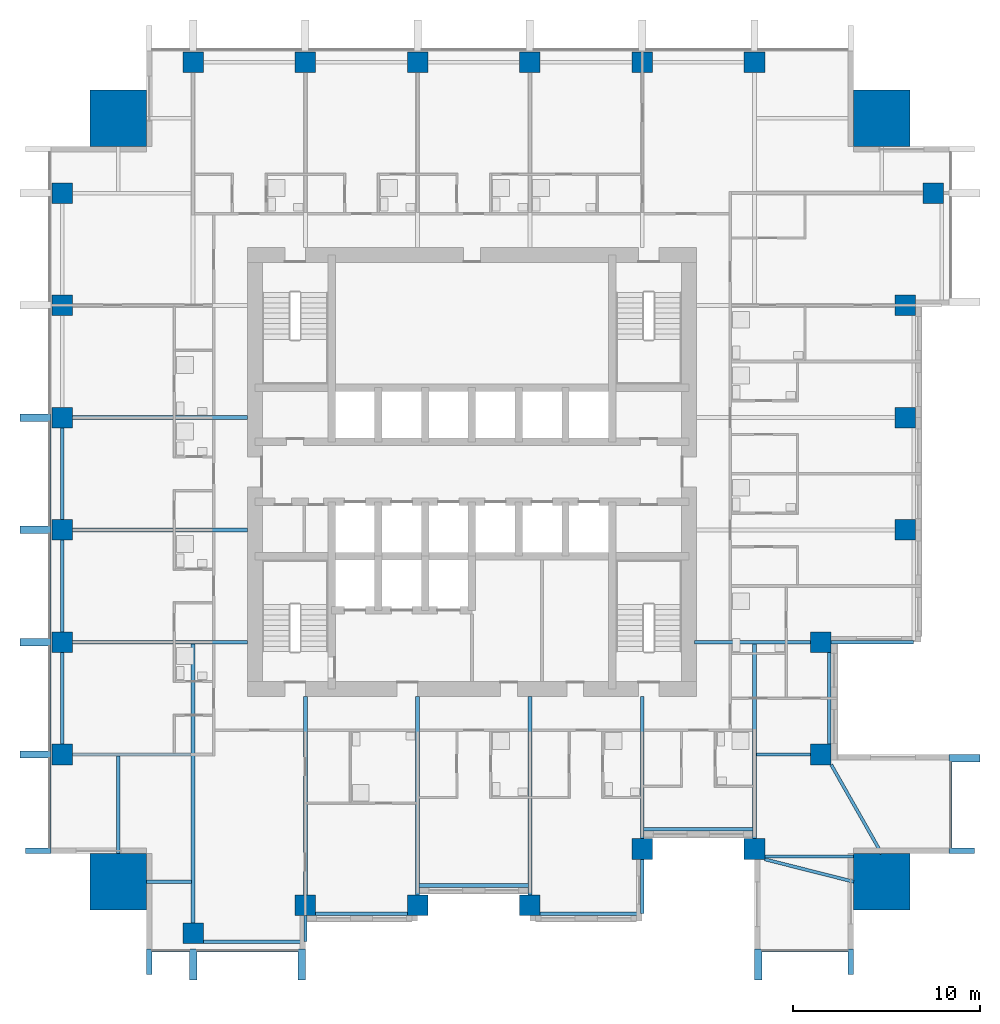
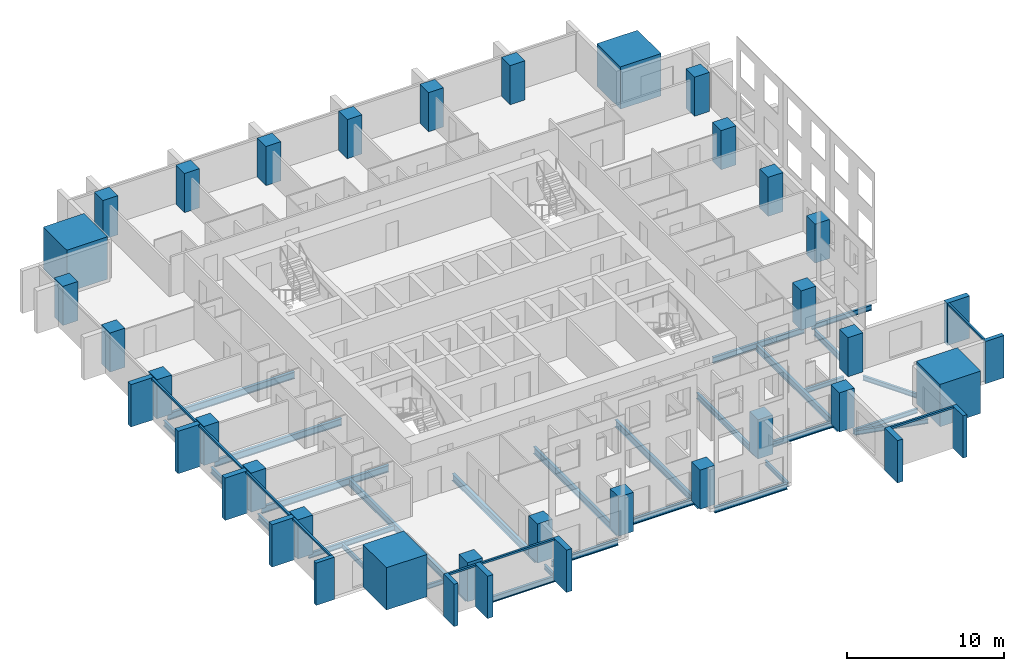
# One storey, part 1 of 12: 29 beams, 28 columns, 20 members, 4 elements without a shape of their own.
"""IFC4 building model written with IfcOpenShell, lengths in metres."""

import ifcopenshell
import ifcopenshell.guid

model = None  # the IFC model being written
_history = None  # IfcOwnerHistory: only IFC2X3 demands one
_inside = {}  # id of a spatial element -> (the spatial element, [elements in it])
_under = {}  # id of a project, library or spatial element -> (it, [spatial elements below it])
_declared = {}  # id of a project -> (the project, [libraries it declares])
_typed = {}  # id of a type object -> (the type object, [elements of that type])
_made_of = {}  # id of a material, layer set ... -> (it, [elements and type objects made of it])


def new_model(schema):
    """Start an empty IFC model of exactly this schema.

    Asked for "IFC4X3", IfcOpenShell would pick the latest addendum, in which some entities
    have other attributes; the version numbers below select the first issue.
    IFC2X3 requires an IfcOwnerHistory on every rooted entity: one is made here for all.
    """
    global model, _history
    if schema == "IFC4X3":
        model = ifcopenshell.file(schema_version=(4, 3, 0, 0))
    else:
        model = ifcopenshell.file(schema=schema)
    _inside.clear()
    _under.clear()
    _declared.clear()
    _typed.clear()
    _made_of.clear()
    _history = None
    if model.schema == "IFC2X3":
        org = make("IfcOrganization", Name="unknown")
        user = make(
            "IfcPersonAndOrganization",
            ThePerson=make("IfcPerson", FamilyName="unknown"),
            TheOrganization=org,
        )
        app = make(
            "IfcApplication",
            ApplicationDeveloper=org,
            Version="unknown",
            ApplicationFullName="unknown",
            ApplicationIdentifier="unknown",
        )
        _history = make(
            "IfcOwnerHistory",
            OwningUser=user,
            OwningApplication=app,
            ChangeAction="ADDED",
            CreationDate=0,
        )
    return model


def make(cls, **values):
    """One entity of the class cls with the attributes given. An attribute that is None is left unset."""
    return model.create_entity(
        cls, **{name: value for name, value in values.items() if value is not None}
    )


def rooted(cls, **values):
    """An entity with a GlobalId (a new one), such as an element, a storey or a relation."""
    return make(cls, GlobalId=ifcopenshell.guid.new(), OwnerHistory=_history, **values)


def si_unit(unit_type, name, prefix=None):
    """IfcSIUnit, for example si_unit("LENGTHUNIT", "METRE", prefix="MILLI")."""
    return make("IfcSIUnit", UnitType=unit_type, Prefix=prefix, Name=name)


def assignment(units):
    """IfcUnitAssignment: the units of a project."""
    return None if units is None else make("IfcUnitAssignment", Units=units)


def point(xyz):
    """IfcCartesianPoint."""
    return None if xyz is None else make("IfcCartesianPoint", Coordinates=xyz)


def direction(xyz):
    """IfcDirection."""
    return None if xyz is None else make("IfcDirection", DirectionRatios=xyz)


def frame(location, z_axis=None, x_axis=None):
    """IfcAxis2Placement3D, a coordinate frame: its origin and axes. An axis left out is left unset."""
    return make(
        "IfcAxis2Placement3D",
        Location=point(location),
        Axis=direction(z_axis),
        RefDirection=direction(x_axis),
    )


def frame_2d(location, x_axis=None):
    """IfcAxis2Placement2D, a coordinate frame in the plane: its origin and x axis."""
    return make(
        "IfcAxis2Placement2D", Location=point(location), RefDirection=direction(x_axis)
    )


def origin():
    """The frame at (0, 0, 0) with its axes left unset."""
    return frame((0.0, 0.0, 0.0))


def origin_2d():
    """The frame at (0, 0) in the plane with its x axis left unset."""
    return frame_2d((0.0, 0.0))


def place(relative_to, where):
    """IfcLocalPlacement: puts the frame where relative to a parent placement (None: the world)."""
    return make(
        "IfcLocalPlacement", PlacementRelTo=relative_to, RelativePlacement=where
    )


def context(
    kind, dimensions, precision=None, world=None, true_north=None, identifier=None
):
    """IfcGeometricRepresentationContext, for example the 3D "Model" context."""
    return make(
        "IfcGeometricRepresentationContext",
        ContextIdentifier=identifier,
        ContextType=kind,
        CoordinateSpaceDimension=dimensions,
        Precision=precision,
        WorldCoordinateSystem=world,
        TrueNorth=true_north,
    )


def subcontext(parent, identifier, kind, view, scale=None):
    """IfcGeometricRepresentationSubContext, for example "Body" below "Model"."""
    return make(
        "IfcGeometricRepresentationSubContext",
        ContextIdentifier=identifier,
        ContextType=kind,
        ParentContext=parent,
        TargetScale=scale,
        TargetView=view,
    )


def project(units=None, contexts=None):
    """IfcProject with its units and contexts."""
    return rooted(
        "IfcProject",
        Name="project",
        RepresentationContexts=contexts,
        UnitsInContext=assignment(units),
    )


def spatial(cls, under=None, at=None, **own):
    """A site, building, storey or space (cls), placed at a placement, below another one or the project."""
    s = rooted(cls, ObjectPlacement=at, **own)
    if under is not None:
        _under.setdefault(under.id(), (under, []))[1].append(s)
    return s


def profile(cls, at=None, kind="AREA", **sizes):
    """A parametric profile (cls). Its sizes go by their IFC names, for example OverallWidth=200.0."""
    return make(cls, ProfileType=kind, Position=at, **sizes)


def rectangle(**sizes):
    """IfcRectangleProfileDef."""
    return profile("IfcRectangleProfileDef", **sizes)


def i_section(**sizes):
    """IfcIShapeProfileDef."""
    return profile("IfcIShapeProfileDef", **sizes)


def extrude(swept, where, along, depth):
    """IfcExtrudedAreaSolid: the profile swept, set in the frame where, extruded along a direction by depth."""
    return make(
        "IfcExtrudedAreaSolid",
        SweptArea=swept,
        Position=where,
        ExtrudedDirection=direction(along),
        Depth=depth,
    )


def shape(context_of_items, identifier, shape_type, items):
    """IfcShapeRepresentation: the items that make up one representation, for example the "Body"."""
    return make(
        "IfcShapeRepresentation",
        ContextOfItems=context_of_items,
        RepresentationIdentifier=identifier,
        RepresentationType=shape_type,
        Items=items,
    )


def material(Name=None, Category=None):
    """IfcMaterial."""
    return make("IfcMaterial", Name=Name, Category=Category)


def material_profile(
    of_material, cross_section, Name=None, Category=None, Priority=None
):
    """IfcMaterialProfile: a cross section and its material."""
    return make(
        "IfcMaterialProfile",
        Name=Name,
        Material=of_material,
        Profile=cross_section,
        Priority=Priority,
        Category=Category,
    )


def profile_set(profiles, Name=None, composite=None):
    """IfcMaterialProfileSet."""
    return make(
        "IfcMaterialProfileSet",
        Name=Name,
        MaterialProfiles=profiles,
        CompositeProfile=composite,
    )


def made_of(thing, what):
    """Note that an element or type object is made of a material, layer set ...; save() writes the relation."""
    if what is not None:
        _made_of.setdefault(what.id(), (what, []))[1].append(thing)
    return thing


def type_object(cls, material=None, **own):
    """A type object (cls), such as IfcWallType, which elements share."""
    return made_of(rooted(cls, **own), material)


def element(
    cls,
    number,
    at=None,
    inside=None,
    cuts=None,
    type_object=None,
    material=None,
    context=None,
    identifier="Body",
    shape_type=None,
    held_by="IfcProductDefinitionShape",
    body=None,
    shapes=None,
    **own,
):
    """One element of the class cls, such as IfcWall. Its Tag is "e" and its number.

    at: its placement. inside: the storey or other place that contains it. cuts: it is an
    opening in that element (IfcRelVoidsElement). A single representation is given by context,
    identifier, shape_type and body (its items); several are given by shapes. held_by: the class
    of the entity that holds the representations. save() writes the other relations.
    """
    e = rooted(cls, Tag="e%d" % number, ObjectPlacement=at, **own)
    if body is not None:
        shapes = [shape(context, identifier, shape_type, body)]
    if shapes is not None:
        e.Representation = make(held_by, Representations=shapes)
    if inside is not None:
        _inside.setdefault(inside.id(), (inside, []))[1].append(e)
    if cuts is not None:
        rooted(
            "IfcRelVoidsElement", RelatingBuildingElement=cuts, RelatedOpeningElement=e
        )
    if type_object is not None:
        _typed.setdefault(type_object.id(), (type_object, []))[1].append(e)
    return made_of(e, material)


def aggregate(whole, parts):
    """IfcRelAggregates: a whole, such as a stair, and the parts it consists of."""
    return rooted("IfcRelAggregates", RelatingObject=whole, RelatedObjects=parts)


def save(model, path):
    """Write the relations noted so far, then the file.

    IfcRelAggregates (storeys below a building ...), IfcRelContainedInSpatialStructure (elements
    in a storey), IfcRelDefinesByType, IfcRelAssociatesMaterial and IfcRelDeclares: one each for
    every whole, place, type object, material and project.
    """
    for whole, parts in _under.values():
        aggregate(whole, parts)
    for where, things in _inside.values():
        rooted(
            "IfcRelContainedInSpatialStructure",
            RelatedElements=things,
            RelatingStructure=where,
        )
    for kind, things in _typed.values():
        rooted("IfcRelDefinesByType", RelatedObjects=things, RelatingType=kind)
    for what, things in _made_of.values():
        rooted("IfcRelAssociatesMaterial", RelatedObjects=things, RelatingMaterial=what)
    for by, libraries in _declared.values():
        rooted("IfcRelDeclares", RelatingContext=by, RelatedDefinitions=libraries)
    model.write(path)


model = new_model("IFC4")

# Units and contexts
model_context = context("Model", 3, precision=1e-05, world=origin(), true_north=direction((0.0, 1.0)))
body_context = subcontext(model_context, "Body", "Model", "MODEL_VIEW")
ifc_project = project(units=[si_unit("LENGTHUNIT", "METRE"), si_unit("AREAUNIT", "SQUARE_METRE"), si_unit("VOLUMEUNIT", "CUBIC_METRE"), si_unit("PLANEANGLEUNIT", "RADIAN"), si_unit("MASSUNIT", "GRAM", prefix="KILO")], contexts=[model_context])

# Site, building, storey
site_placement = place(None, origin())
site = spatial("IfcSite", under=ifc_project, at=site_placement, CompositionType="ELEMENT")
building_placement = place(site_placement, origin())
building = spatial("IfcBuilding", under=site, at=building_placement, Name="Amberfall Residences", CompositionType="ELEMENT")
storey_placement = place(building_placement, frame((0.0, 0.0, 88.60009765625)))
storey = spatial("IfcBuildingStorey", under=building, at=storey_placement, Name="L23", CompositionType="ELEMENT", Elevation=88.60009765625)

# Columns
ifc_material_1 = material(Name="Concrete C70", Category="concrete")
ifc_material_profile_1 = material_profile(ifc_material_1, rectangle(XDim=1.10009765625, YDim=1.10009765625, at=origin_2d()), Name="Column 1100 x 1100 C70")
ifc_profile_set_1 = profile_set([ifc_material_profile_1], Name="Concrete C70")
column_type_1 = type_object("IfcColumnType", Name="Column 1100 x 1100 C70", PredefinedType="COLUMN", material=ifc_profile_set_1)
for number, where, z_axis, x_axis, name in (
    (1, (59.60009765625, 20.85009765625, 0.0), (0.0, 0.0, 1.0), (1.0, 0.0, 0.0), "Column C2 L23 S1"),
    (2, (65.60009765625, 22.35009765625, 0.0), (0.0, 0.0, 1.0), (1.0, 0.0, 0.0), "Column C2 L23 S2"),
    (3, (71.60009765625, 22.35009765625, 0.0), (0.0, 0.0, 1.0), (1.0, 0.0, 0.0), "Column C2 L23 S3"),
    (4, (77.60009765625, 22.35009765625, 0.0), (0.0, 0.0, 1.0), (1.0, 0.0, 0.0), "Column C2 L23 S4"),
    (5, (83.60009765625, 25.35009765625, 0.0), (0.0, 0.0, 1.0), (1.0, 0.0, 0.0), "Column C2 L23 S5"),
    (6, (89.60009765625, 25.35009765625, 0.0), (0.0, 0.0, 1.0), (1.0, 0.0, 0.0), "Column C2 L23 S6"),
    (7, (93.14990234375, 30.39990234375, 0.0), (0.0, 0.0, 1.0), (1.0, 0.0, 0.0), "Column C2 L23 E1"),
    (8, (93.14990234375, 36.39990234375, 0.0), (0.0, 0.0, 1.0), (1.0, 0.0, 0.0), "Column C2 L23 E2"),
    (9, (97.64990234375, 42.39990234375, 0.0), (0.0, 0.0, 1.0), (1.0, 0.0, 0.0), "Column C2 L23 E3"),
    (10, (97.64990234375, 48.39990234375, 0.0), (0.0, 0.0, 1.0), (1.0, 0.0, 0.0), "Column C2 L23 E4"),
    (11, (97.64990234375, 54.39990234375, 0.0), (0.0, 0.0, 1.0), (1.0, 0.0, 0.0), "Column C2 L23 E5"),
    (12, (99.14990234375, 60.39990234375, 0.0), (0.0, 0.0, 1.0), (1.0, 0.0, 0.0), "Column C2 L23 E6"),
    (13, (59.60009765625, 67.39990234375, 0.0), (0.0, 0.0, 1.0), (1.0, 0.0, 0.0), "Column C2 L23 N1"),
    (14, (65.60009765625, 67.39990234375, 0.0), (0.0, 0.0, 1.0), (1.0, 0.0, 0.0), "Column C2 L23 N2"),
    (15, (71.60009765625, 67.39990234375, 0.0), (0.0, 0.0, 1.0), (1.0, 0.0, 0.0), "Column C2 L23 N3"),
    (16, (77.60009765625, 67.39990234375, 0.0), (0.0, 0.0, 1.0), (1.0, 0.0, 0.0), "Column C2 L23 N4"),
    (17, (83.60009765625, 67.39990234375, 0.0), (0.0, 0.0, 1.0), (1.0, 0.0, 0.0), "Column C2 L23 N5"),
    (18, (89.60009765625, 67.39990234375, 0.0), (0.0, 0.0, 1.0), (1.0, 0.0, 0.0), "Column C2 L23 N6"),
    (19, (52.60009765625, 30.39990234375, 0.0), (0.0, 0.0, 1.0), (1.0, 0.0, 0.0), "Column C2 L23 W1"),
    (20, (52.60009765625, 36.39990234375, 0.0), (0.0, 0.0, 1.0), (1.0, 0.0, 0.0), "Column C2 L23 W2"),
    (21, (52.60009765625, 42.39990234375, 0.0), (0.0, 0.0, 1.0), (1.0, 0.0, 0.0), "Column C2 L23 W3"),
    (22, (52.60009765625, 48.39990234375, 0.0), (0.0, 0.0, 1.0), (1.0, 0.0, 0.0), "Column C2 L23 W4"),
    (23, (52.60009765625, 54.39990234375, 0.0), (0.0, 0.0, 1.0), (1.0, 0.0, 0.0), "Column C2 L23 W5"),
    (24, (52.60009765625, 60.39990234375, 0.0), (0.0, 0.0, 1.0), (1.0, 0.0, 0.0), "Column C2 L23 W6"),
):
    element("IfcColumn", number, at=place(storey_placement, frame(where, z_axis=z_axis, x_axis=x_axis)), inside=storey, type_object=column_type_1, Name=name, PredefinedType="COLUMN", context=body_context, shape_type="SweptSolid", body=[
        extrude(rectangle(XDim=1.10009765625, YDim=1.10009765625, at=origin_2d()), origin(), (0.0, 0.0, 1.0), 3.0498046875),
    ])
ifc_material_profile_2 = material_profile(ifc_material_1, rectangle(XDim=3.0, YDim=3.0, at=origin_2d()), Name="Mega column 3000 x 3000 C70")
ifc_profile_set_2 = profile_set([ifc_material_profile_2], Name="Concrete C70")
column_type_2 = type_object("IfcColumnType", Name="Mega column 3000 x 3000 C70", PredefinedType="COLUMN", material=ifc_profile_set_2)
for number, where, z_axis, x_axis, name in (
    (25, (55.60009765625, 23.60009765625, 0.0), (0.0, 0.0, 1.0), (1.0, 0.0, 0.0), "Mega column MC2 L23 SW"),
    (26, (96.39990234375, 23.60009765625, 0.0), (0.0, 0.0, 1.0), (1.0, 0.0, 0.0), "Mega column MC2 L23 SE"),
    (27, (96.39990234375, 64.39990234375, 0.0), (0.0, 0.0, 1.0), (1.0, 0.0, 0.0), "Mega column MC2 L23 NE"),
    (28, (55.60009765625, 64.39990234375, 0.0), (0.0, 0.0, 1.0), (1.0, 0.0, 0.0), "Mega column MC2 L23 NW"),
):
    element("IfcColumn", number, at=place(storey_placement, frame(where, z_axis=z_axis, x_axis=x_axis)), inside=storey, type_object=column_type_2, Name=name, PredefinedType="COLUMN", context=body_context, shape_type="SweptSolid", body=[
        extrude(rectangle(XDim=3.0, YDim=3.0, at=origin_2d()), origin(), (0.0, 0.0, 1.0), 3.2998046875),
    ])

# Curtain wall, members
ifc_material_2 = material(Name="Bronze anodised aluminium and glass", Category="aluminium")
curtain_wall_type = type_object("IfcCurtainWallType", Name="Curtain wall CW1 tower unit", PredefinedType="USERDEFINED", material=ifc_material_2)
curtain_wall_1_placement = place(storey_placement, origin())
curtain_wall_1 = element("IfcCurtainWall", 29, at=curtain_wall_1_placement, inside=storey, type_object=curtain_wall_type, Name="Curtain wall L23 S S1", ObjectType="UNITISED CURTAIN WALL", PredefinedType="USERDEFINED")
ifc_material_3 = material(Name="Bronze anodised aluminium", Category="aluminium")
ifc_material_profile_3 = material_profile(ifc_material_3, rectangle(XDim=0.14990234375, YDim=0.14990234375, at=origin_2d()), Name="CW1 transom 150 x 150 bronze")
ifc_profile_set_3 = profile_set([ifc_material_profile_3], Name="Bronze anodised aluminium")
member_type_1 = type_object("IfcMemberType", Name="CW1 transom 150 x 150 bronze", PredefinedType="USERDEFINED", material=ifc_profile_set_3)
member_1_placement = place(storey_placement, frame((57.39990234375, 19.925048828125, 2.974853515625), z_axis=(1.0, 0.0, 0.0), x_axis=(0.0, 1.0, 0.0)))
member_1 = element("IfcMember", 30, at=member_1_placement, type_object=member_type_1, Name="CW1 transom 1.1", ObjectType="TRANSOM", PredefinedType="USERDEFINED", context=body_context, shape_type="SweptSolid", body=[
    extrude(rectangle(XDim=0.14990234375, YDim=0.14990234375, at=origin_2d()), origin(), (0.0, 0.0, 1.0), 2.0),
])
member_2_placement = place(storey_placement, frame((59.800048828125, 19.925048828125, 2.974853515625), z_axis=(1.0, 0.0, 0.0), x_axis=(0.0, 1.0, 0.0)))
member_2 = element("IfcMember", 31, at=member_2_placement, type_object=member_type_1, Name="CW1 transom 2.1", ObjectType="TRANSOM", PredefinedType="USERDEFINED", context=body_context, shape_type="SweptSolid", body=[
    extrude(rectangle(XDim=0.14990234375, YDim=0.14990234375, at=origin_2d()), origin(), (0.0, 0.0, 1.0), 5.39990234375),
])

# Curtain wall, member
curtain_wall_2_placement = place(storey_placement, origin())
curtain_wall_2 = element("IfcCurtainWall", 32, at=curtain_wall_2_placement, inside=storey, type_object=curtain_wall_type, Name="Curtain wall L23 S S11", ObjectType="UNITISED CURTAIN WALL", PredefinedType="USERDEFINED")
member_3_placement = place(storey_placement, frame((90.0, 19.925048828125, 2.974853515625), z_axis=(1.0, 0.0, 0.0), x_axis=(0.0, 1.0, 0.0)))
member_3 = element("IfcMember", 33, at=member_3_placement, type_object=member_type_1, Name="CW1 transom 1.1", ObjectType="TRANSOM", PredefinedType="USERDEFINED", context=body_context, shape_type="SweptSolid", body=[
    extrude(rectangle(XDim=0.14990234375, YDim=0.14990234375, at=origin_2d()), origin(), (0.0, 0.0, 1.0), 4.60009765625),
])

curtain_wall_3_placement = place(storey_placement, origin())
curtain_wall_3 = element("IfcCurtainWall", 34, at=curtain_wall_3_placement, inside=storey, type_object=curtain_wall_type, Name="Curtain wall L23 E E1", ObjectType="UNITISED CURTAIN WALL", PredefinedType="USERDEFINED")
member_4_placement = place(storey_placement, frame((100.074951171875, 25.39990234375, 2.974853515625), z_axis=(0.0, 1.0, 0.0), x_axis=(-1.0, 0.0, 0.0)))
member_4 = element("IfcMember", 35, at=member_4_placement, type_object=member_type_1, Name="CW1 transom 1.1", ObjectType="TRANSOM", PredefinedType="USERDEFINED", context=body_context, shape_type="SweptSolid", body=[
    extrude(rectangle(XDim=0.14990234375, YDim=0.14990234375, at=origin_2d()), origin(), (0.0, 0.0, 1.0), 4.60009765625),
])

# Curtain wall, members
curtain_wall_4_placement = place(storey_placement, origin())
curtain_wall_4 = element("IfcCurtainWall", 36, at=curtain_wall_4_placement, inside=storey, type_object=curtain_wall_type, Name="Curtain wall L23 W W1", ObjectType="UNITISED CURTAIN WALL", PredefinedType="USERDEFINED")
member_5_placement = place(storey_placement, frame((51.925048828125, 48.199951171875, 2.974853515625), z_axis=(0.0, -1.0, 0.0), x_axis=(1.0, 0.0, 0.0)))
member_5 = element("IfcMember", 37, at=member_5_placement, type_object=member_type_1, Name="CW1 transom 4.1", ObjectType="TRANSOM", PredefinedType="USERDEFINED", context=body_context, shape_type="SweptSolid", body=[
    extrude(rectangle(XDim=0.14990234375, YDim=0.14990234375, at=origin_2d()), origin(), (0.0, 0.0, 1.0), 5.599853515625),
])
member_6_placement = place(storey_placement, frame((51.925048828125, 42.199951171875, 2.974853515625), z_axis=(0.0, -1.0, 0.0), x_axis=(1.0, 0.0, 0.0)))
member_6 = element("IfcMember", 38, at=member_6_placement, type_object=member_type_1, Name="CW1 transom 5.1", ObjectType="TRANSOM", PredefinedType="USERDEFINED", context=body_context, shape_type="SweptSolid", body=[
    extrude(rectangle(XDim=0.14990234375, YDim=0.14990234375, at=origin_2d()), origin(), (0.0, 0.0, 1.0), 5.599853515625),
])
member_7_placement = place(storey_placement, frame((51.925048828125, 36.199951171875, 2.974853515625), z_axis=(0.0, -1.0, 0.0), x_axis=(1.0, 0.0, 0.0)))
member_7 = element("IfcMember", 39, at=member_7_placement, type_object=member_type_1, Name="CW1 transom 6.1", ObjectType="TRANSOM", PredefinedType="USERDEFINED", context=body_context, shape_type="SweptSolid", body=[
    extrude(rectangle(XDim=0.14990234375, YDim=0.14990234375, at=origin_2d()), origin(), (0.0, 0.0, 1.0), 5.599853515625),
])
member_8_placement = place(storey_placement, frame((51.925048828125, 30.199951171875, 2.974853515625), z_axis=(0.0, -1.0, 0.0), x_axis=(1.0, 0.0, 0.0)))
member_8 = element("IfcMember", 40, at=member_8_placement, type_object=member_type_1, Name="CW1 transom 7.1", ObjectType="TRANSOM", PredefinedType="USERDEFINED", context=body_context, shape_type="SweptSolid", body=[
    extrude(rectangle(XDim=0.14990234375, YDim=0.14990234375, at=origin_2d()), origin(), (0.0, 0.0, 1.0), 4.800048828125),
])

# Beams
ifc_material_4 = material(Name="Steel S355", Category="steel")
ifc_material_profile_4 = material_profile(ifc_material_4, i_section(OverallWidth=0.171142578125, OverallDepth=0.351318359375, WebThickness=0.007080078125, FlangeThickness=0.009765625, FilletRadius=0.01025390625, at=origin_2d()), Name="UB 356x171x45")
ifc_profile_set_4 = profile_set([ifc_material_profile_4], Name="Steel S355")
beam_type_1 = type_object("IfcBeamType", Name="Cantilever girder UB 356x171x45", PredefinedType="BEAM", material=ifc_profile_set_4)
beam_1_placement = place(storey_placement, frame((65.60009765625, 21.800048828125, -0.42578125), z_axis=(0.0, -1.0, 0.0), x_axis=(1.0, 0.0, 0.0)))
element("IfcBeam", 41, at=beam_1_placement, inside=storey, type_object=beam_type_1, Name="Cantilever girder B8 L23 06", PredefinedType="BEAM", context=body_context, shape_type="SweptSolid", body=[
    extrude(i_section(OverallWidth=0.171142578125, OverallDepth=0.351318359375, WebThickness=0.007080078125, FlangeThickness=0.009765625, FilletRadius=0.01025390625, at=origin_2d()), origin(), (0.0, 0.0, 1.0), 1.400146484375),
])
beam_2_placement = place(storey_placement, frame((83.60009765625, 24.800048828125, -0.42578125), z_axis=(0.0, -1.0, 0.0), x_axis=(1.0, 0.0, 0.0)))
element("IfcBeam", 42, at=beam_2_placement, inside=storey, type_object=beam_type_1, Name="Cantilever girder B8 L23 07", PredefinedType="BEAM", context=body_context, shape_type="SweptSolid", body=[
    extrude(i_section(OverallWidth=0.171142578125, OverallDepth=0.351318359375, WebThickness=0.007080078125, FlangeThickness=0.009765625, FilletRadius=0.01025390625, at=origin_2d()), origin(), (0.0, 0.0, 1.0), 2.900146484375),
])
ifc_material_profile_5 = material_profile(ifc_material_4, i_section(OverallWidth=0.177734375, OverallDepth=0.402587890625, WebThickness=0.0078125, FlangeThickness=0.010986328125, FilletRadius=0.01025390625, at=origin_2d()), Name="UB 406x178x54")
ifc_profile_set_5 = profile_set([ifc_material_profile_5], Name="Steel S355")
beam_type_2 = type_object("IfcBeamType", Name="Cantilever girder UB 406x178x54", PredefinedType="BEAM", material=ifc_profile_set_5)
beam_3_placement = place(storey_placement, frame((93.699951171875, 36.39990234375, -0.451416015625), z_axis=(1.0, 0.0, 0.0), x_axis=(0.0, 1.0, 0.0)))
element("IfcBeam", 43, at=beam_3_placement, inside=storey, type_object=beam_type_2, Name="Cantilever girder B9 L23 19", PredefinedType="BEAM", context=body_context, shape_type="SweptSolid", body=[
    extrude(i_section(OverallWidth=0.177734375, OverallDepth=0.402587890625, WebThickness=0.0078125, FlangeThickness=0.010986328125, FilletRadius=0.01025390625, at=origin_2d()), origin(), (0.0, 0.0, 1.0), 4.400146484375),
])

# Member
ifc_material_profile_6 = material_profile(ifc_material_3, rectangle(XDim=1.35009765625, YDim=0.300048828125, at=origin_2d()), Name="Corner fin 300 x 1350 bronze")
ifc_profile_set_6 = profile_set([ifc_material_profile_6], Name="Bronze anodised aluminium")
member_type_2 = type_object("IfcMemberType", Name="Corner fin 300 x 1350 bronze", PredefinedType="MULLION", material=ifc_profile_set_6)
member_9_placement = place(storey_placement, frame((57.25, 19.324951171875, -0.25), z_axis=(0.0, 0.0, 1.0), x_axis=(0.0, 1.0, 0.0)))
member_9 = element("IfcMember", 44, at=member_9_placement, type_object=member_type_2, Name="CW FIN 1", PredefinedType="MULLION", context=body_context, shape_type="SweptSolid", body=[
    extrude(rectangle(XDim=1.35009765625, YDim=0.300048828125, at=origin_2d()), origin(), (0.0, 0.0, 1.0), 3.2998046875),
])

member_10_placement = place(storey_placement, frame((94.75, 19.324951171875, -0.25), z_axis=(0.0, 0.0, 1.0), x_axis=(0.0, 1.0, 0.0)))
member_10 = element("IfcMember", 45, at=member_10_placement, type_object=member_type_2, Name="CW FIN 2", PredefinedType="MULLION", context=body_context, shape_type="SweptSolid", body=[
    extrude(rectangle(XDim=1.35009765625, YDim=0.300048828125, at=origin_2d()), origin(), (0.0, 0.0, 1.0), 3.2998046875),
])

member_11_placement = place(storey_placement, frame((100.675048828125, 25.25, -0.25), z_axis=(0.0, 0.0, 1.0), x_axis=(-1.0, 0.0, 0.0)))
member_11 = element("IfcMember", 46, at=member_11_placement, type_object=member_type_2, Name="CW FIN 1", PredefinedType="MULLION", context=body_context, shape_type="SweptSolid", body=[
    extrude(rectangle(XDim=1.35009765625, YDim=0.300048828125, at=origin_2d()), origin(), (0.0, 0.0, 1.0), 3.2998046875),
])

member_12_placement = place(storey_placement, frame((51.324951171875, 25.25, -0.25), z_axis=(0.0, 0.0, 1.0), x_axis=(1.0, 0.0, 0.0)))
member_12 = element("IfcMember", 47, at=member_12_placement, type_object=member_type_2, Name="CW FIN 8", PredefinedType="MULLION", context=body_context, shape_type="SweptSolid", body=[
    extrude(rectangle(XDim=1.35009765625, YDim=0.300048828125, at=origin_2d()), origin(), (0.0, 0.0, 1.0), 3.2998046875),
])

# Beams
ifc_material_profile_7 = material_profile(ifc_material_4, i_section(OverallWidth=0.18994140625, OverallDepth=0.453369140625, WebThickness=0.008544921875, FlangeThickness=0.0126953125, FilletRadius=0.01025390625, at=origin_2d()), Name="UB 457x191x67")
ifc_profile_set_7 = profile_set([ifc_material_profile_7], Name="Steel S355")
beam_type_3 = type_object("IfcBeamType", Name="Edge beam UB 457x191x67", PredefinedType="SPANDREL", material=ifc_profile_set_7)
beam_4_placement = place(storey_placement, frame((60.14990234375, 20.39990234375, -0.476806640625), z_axis=(1.0, 0.0, 0.0), x_axis=(0.0, 1.0, 0.0)))
element("IfcBeam", 48, at=beam_4_placement, inside=storey, type_object=beam_type_3, Name="Edge beam B1 L23 01", PredefinedType="SPANDREL", context=body_context, shape_type="SweptSolid", body=[
    extrude(i_section(OverallWidth=0.18994140625, OverallDepth=0.453369140625, WebThickness=0.008544921875, FlangeThickness=0.0126953125, FilletRadius=0.01025390625, at=origin_2d()), origin(), (0.0, 0.0, 1.0), 5.3701171875),
])
beam_5_placement = place(storey_placement, frame((66.14990234375, 21.89990234375, -0.476806640625), z_axis=(1.0, 0.0, 0.0), x_axis=(0.0, 1.0, 0.0)))
element("IfcBeam", 49, at=beam_5_placement, inside=storey, type_object=beam_type_3, Name="Edge beam B1 L23 02", PredefinedType="SPANDREL", context=body_context, shape_type="SweptSolid", body=[
    extrude(i_section(OverallWidth=0.18994140625, OverallDepth=0.453369140625, WebThickness=0.008544921875, FlangeThickness=0.0126953125, FilletRadius=0.01025390625, at=origin_2d()), origin(), (0.0, 0.0, 1.0), 4.900146484375),
])
beam_6_placement = place(storey_placement, frame((71.679931640625, 23.39990234375, -0.476806640625), z_axis=(1.0, 0.0, 0.0), x_axis=(0.0, 1.0, 0.0)))
element("IfcBeam", 50, at=beam_6_placement, inside=storey, type_object=beam_type_3, Name="Edge beam B1 L23 03", PredefinedType="SPANDREL", context=body_context, shape_type="SweptSolid", body=[
    extrude(i_section(OverallWidth=0.18994140625, OverallDepth=0.453369140625, WebThickness=0.008544921875, FlangeThickness=0.0126953125, FilletRadius=0.01025390625, at=origin_2d()), origin(), (0.0, 0.0, 1.0), 5.840087890625),
])
beam_7_placement = place(storey_placement, frame((78.14990234375, 21.89990234375, -0.476806640625), z_axis=(1.0, 0.0, 0.0), x_axis=(0.0, 1.0, 0.0)))
element("IfcBeam", 51, at=beam_7_placement, inside=storey, type_object=beam_type_3, Name="Edge beam B1 L23 04", PredefinedType="SPANDREL", context=body_context, shape_type="SweptSolid", body=[
    extrude(i_section(OverallWidth=0.18994140625, OverallDepth=0.453369140625, WebThickness=0.008544921875, FlangeThickness=0.0126953125, FilletRadius=0.01025390625, at=origin_2d()), origin(), (0.0, 0.0, 1.0), 5.3701171875),
])
beam_8_placement = place(storey_placement, frame((83.679931640625, 26.39990234375, -0.476806640625), z_axis=(1.0, 0.0, 0.0), x_axis=(0.0, 1.0, 0.0)))
element("IfcBeam", 52, at=beam_8_placement, inside=storey, type_object=beam_type_3, Name="Edge beam B1 L23 05", PredefinedType="SPANDREL", context=body_context, shape_type="SweptSolid", body=[
    extrude(i_section(OverallWidth=0.18994140625, OverallDepth=0.453369140625, WebThickness=0.008544921875, FlangeThickness=0.0126953125, FilletRadius=0.01025390625, at=origin_2d()), origin(), (0.0, 0.0, 1.0), 5.840087890625),
])
for number, where, z_axis, x_axis, name in (
    (53, (93.60009765625, 30.949951171875, -0.476806640625), (0.0, 1.0, 0.0), (-1.0, 0.0, 0.0), "Edge beam B1 L23 14"),
    (54, (52.60009765625, 30.949951171875, -0.476806640625), (0.0, 1.0, 0.0), (-1.0, 0.0, 0.0), "Edge beam B1 L23 38"),
    (55, (52.60009765625, 36.949951171875, -0.476806640625), (0.0, 1.0, 0.0), (-1.0, 0.0, 0.0), "Edge beam B1 L23 39"),
    (56, (52.60009765625, 42.949951171875, -0.476806640625), (0.0, 1.0, 0.0), (-1.0, 0.0, 0.0), "Edge beam B1 L23 40"),
):
    element("IfcBeam", number, at=place(storey_placement, frame(where, z_axis=z_axis, x_axis=x_axis)), inside=storey, type_object=beam_type_3, Name=name, PredefinedType="SPANDREL", context=body_context, shape_type="SweptSolid", body=[
        extrude(i_section(OverallWidth=0.18994140625, OverallDepth=0.453369140625, WebThickness=0.008544921875, FlangeThickness=0.0126953125, FilletRadius=0.01025390625, at=origin_2d()), origin(), (0.0, 0.0, 1.0), 4.900146484375),
    ])

# Member
ifc_material_profile_8 = material_profile(ifc_material_3, rectangle(XDim=1.64990234375, YDim=0.39990234375, at=origin_2d()), Name="Fin 400 x 1650 bronze")
ifc_profile_set_8 = profile_set([ifc_material_profile_8], Name="Bronze anodised aluminium")
member_type_3 = type_object("IfcMemberType", Name="Fin 400 x 1650 bronze", PredefinedType="MULLION", material=ifc_profile_set_8)
member_13_placement = place(storey_placement, frame((59.60009765625, 19.175048828125, -0.25), z_axis=(0.0, 0.0, 1.0), x_axis=(0.0, 1.0, 0.0)))
member_13 = element("IfcMember", 57, at=member_13_placement, type_object=member_type_3, Name="CW FIN 2", PredefinedType="MULLION", context=body_context, shape_type="SweptSolid", body=[
    extrude(rectangle(XDim=1.64990234375, YDim=0.39990234375, at=origin_2d()), origin(), (0.0, 0.0, 1.0), 3.2998046875),
])

member_14_placement = place(storey_placement, frame((65.39990234375, 19.175048828125, -0.25), z_axis=(0.0, 0.0, 1.0), x_axis=(0.0, 1.0, 0.0)))
member_14 = element("IfcMember", 58, at=member_14_placement, type_object=member_type_3, Name="CW FIN 3", PredefinedType="MULLION", context=body_context, shape_type="SweptSolid", body=[
    extrude(rectangle(XDim=1.64990234375, YDim=0.39990234375, at=origin_2d()), origin(), (0.0, 0.0, 1.0), 3.2998046875),
])

aggregate(curtain_wall_1, [member_9, member_13, member_14, member_1, member_2])

member_15_placement = place(storey_placement, frame((89.800048828125, 19.175048828125, -0.25), z_axis=(0.0, 0.0, 1.0), x_axis=(0.0, 1.0, 0.0)))
member_15 = element("IfcMember", 59, at=member_15_placement, type_object=member_type_3, Name="CW FIN 1", PredefinedType="MULLION", context=body_context, shape_type="SweptSolid", body=[
    extrude(rectangle(XDim=1.64990234375, YDim=0.39990234375, at=origin_2d()), origin(), (0.0, 0.0, 1.0), 3.2998046875),
])

aggregate(curtain_wall_2, [member_15, member_10, member_3])

member_16_placement = place(storey_placement, frame((100.824951171875, 30.199951171875, -0.25), z_axis=(0.0, 0.0, 1.0), x_axis=(-1.0, 0.0, 0.0)))
member_16 = element("IfcMember", 60, at=member_16_placement, type_object=member_type_3, Name="CW FIN 2", PredefinedType="MULLION", context=body_context, shape_type="SweptSolid", body=[
    extrude(rectangle(XDim=1.64990234375, YDim=0.39990234375, at=origin_2d()), origin(), (0.0, 0.0, 1.0), 3.2998046875),
])

aggregate(curtain_wall_3, [member_11, member_16, member_4])

member_17_placement = place(storey_placement, frame((51.175048828125, 48.39990234375, -0.25), z_axis=(0.0, 0.0, 1.0), x_axis=(1.0, 0.0, 0.0)))
member_17 = element("IfcMember", 61, at=member_17_placement, type_object=member_type_3, Name="CW FIN 4", PredefinedType="MULLION", context=body_context, shape_type="SweptSolid", body=[
    extrude(rectangle(XDim=1.64990234375, YDim=0.39990234375, at=origin_2d()), origin(), (0.0, 0.0, 1.0), 3.2998046875),
])

member_18_placement = place(storey_placement, frame((51.175048828125, 42.39990234375, -0.25), z_axis=(0.0, 0.0, 1.0), x_axis=(1.0, 0.0, 0.0)))
member_18 = element("IfcMember", 62, at=member_18_placement, type_object=member_type_3, Name="CW FIN 5", PredefinedType="MULLION", context=body_context, shape_type="SweptSolid", body=[
    extrude(rectangle(XDim=1.64990234375, YDim=0.39990234375, at=origin_2d()), origin(), (0.0, 0.0, 1.0), 3.2998046875),
])

member_19_placement = place(storey_placement, frame((51.175048828125, 36.39990234375, -0.25), z_axis=(0.0, 0.0, 1.0), x_axis=(1.0, 0.0, 0.0)))
member_19 = element("IfcMember", 63, at=member_19_placement, type_object=member_type_3, Name="CW FIN 6", PredefinedType="MULLION", context=body_context, shape_type="SweptSolid", body=[
    extrude(rectangle(XDim=1.64990234375, YDim=0.39990234375, at=origin_2d()), origin(), (0.0, 0.0, 1.0), 3.2998046875),
])

member_20_placement = place(storey_placement, frame((51.175048828125, 30.39990234375, -0.25), z_axis=(0.0, 0.0, 1.0), x_axis=(1.0, 0.0, 0.0)))
member_20 = element("IfcMember", 64, at=member_20_placement, type_object=member_type_3, Name="CW FIN 7", PredefinedType="MULLION", context=body_context, shape_type="SweptSolid", body=[
    extrude(rectangle(XDim=1.64990234375, YDim=0.39990234375, at=origin_2d()), origin(), (0.0, 0.0, 1.0), 3.2998046875),
])

aggregate(curtain_wall_4, [member_17, member_18, member_19, member_20, member_12, member_5, member_6, member_7, member_8])

# Beams
ifc_material_profile_9 = material_profile(ifc_material_4, i_section(OverallWidth=0.171142578125, OverallDepth=0.351318359375, WebThickness=0.007080078125, FlangeThickness=0.009765625, FilletRadius=0.01025390625, at=origin_2d()), Name="UB 356x171x45")
ifc_profile_set_9 = profile_set([ifc_material_profile_9], Name="Steel S355")
beam_type_4 = type_object("IfcBeamType", Name="Floor girder UB 356x171x45", PredefinedType="BEAM", material=ifc_profile_set_9)
beam_9_placement = place(storey_placement, frame((92.60009765625, 30.39990234375, -0.42578125), z_axis=(-1.0, 0.0, 0.0), x_axis=(0.0, -1.0, 0.0)))
element("IfcBeam", 65, at=beam_9_placement, inside=storey, type_object=beam_type_4, Name="Floor girder B11 L23 21", PredefinedType="BEAM", context=body_context, shape_type="SweptSolid", body=[
    extrude(i_section(OverallWidth=0.171142578125, OverallDepth=0.351318359375, WebThickness=0.007080078125, FlangeThickness=0.009765625, FilletRadius=0.01025390625, at=origin_2d()), origin(), (0.0, 0.0, 1.0), 2.880126953125),
])
ifc_material_profile_10 = material_profile(ifc_material_4, i_section(OverallWidth=0.177734375, OverallDepth=0.402587890625, WebThickness=0.0078125, FlangeThickness=0.010986328125, FilletRadius=0.01025390625, at=origin_2d()), Name="UB 406x178x54")
ifc_profile_set_10 = profile_set([ifc_material_profile_10], Name="Steel S355")
beam_type_5 = type_object("IfcBeamType", Name="Floor girder UB 406x178x54", PredefinedType="BEAM", material=ifc_profile_set_10)
beam_10_placement = place(storey_placement, frame((53.14990234375, 30.39990234375, -0.451416015625), z_axis=(1.0, 0.0, 0.0), x_axis=(0.0, 1.0, 0.0)))
element("IfcBeam", 66, at=beam_10_placement, inside=storey, type_object=beam_type_5, Name="Floor girder B4 L23 43", PredefinedType="BEAM", context=body_context, shape_type="SweptSolid", body=[
    extrude(i_section(OverallWidth=0.177734375, OverallDepth=0.402587890625, WebThickness=0.0078125, FlangeThickness=0.010986328125, FilletRadius=0.01025390625, at=origin_2d()), origin(), (0.0, 0.0, 1.0), 6.330078125),
])
ifc_material_profile_11 = material_profile(ifc_material_4, i_section(OverallWidth=0.19140625, OverallDepth=0.4599609375, WebThickness=0.010009765625, FlangeThickness=0.01611328125, FilletRadius=0.01025390625, at=origin_2d()), Name="UB 457x191x82")
ifc_profile_set_11 = profile_set([ifc_material_profile_11], Name="Steel S355")
beam_type_6 = type_object("IfcBeamType", Name="Floor girder UB 457x191x82", PredefinedType="BEAM", material=ifc_profile_set_11)
beam_11_placement = place(storey_placement, frame((83.60009765625, 25.89990234375, -0.47998046875), z_axis=(0.0, 1.0, 0.0), x_axis=(-1.0, 0.0, 0.0)))
element("IfcBeam", 67, at=beam_11_placement, inside=storey, type_object=beam_type_6, Name="Floor girder B10 L23 12", PredefinedType="BEAM", context=body_context, shape_type="SweptSolid", body=[
    extrude(i_section(OverallWidth=0.19140625, OverallDepth=0.4599609375, WebThickness=0.010009765625, FlangeThickness=0.01611328125, FilletRadius=0.01025390625, at=origin_2d()), origin(), (0.0, 0.0, 1.0), 7.60009765625),
])
beam_12_placement = place(storey_placement, frame((93.14990234375, 36.39990234375, -0.47998046875), z_axis=(-1.0, 0.0, 0.0), x_axis=(0.0, -1.0, 0.0)))
element("IfcBeam", 68, at=beam_12_placement, inside=storey, type_object=beam_type_6, Name="Floor girder B10 L23 22", PredefinedType="BEAM", context=body_context, shape_type="SweptSolid", body=[
    extrude(i_section(OverallWidth=0.19140625, OverallDepth=0.4599609375, WebThickness=0.010009765625, FlangeThickness=0.01611328125, FilletRadius=0.01025390625, at=origin_2d()), origin(), (0.0, 0.0, 1.0), 6.75),
])
ifc_material_profile_12 = material_profile(ifc_material_4, i_section(OverallWidth=0.210693359375, OverallDepth=0.53955078125, WebThickness=0.01171875, FlangeThickness=0.018798828125, FilletRadius=0.0126953125, at=origin_2d()), Name="UB 533x210x109")
ifc_profile_set_12 = profile_set([ifc_material_profile_12], Name="Steel S355")
beam_type_7 = type_object("IfcBeamType", Name="Floor girder UB 533x210x109", PredefinedType="BEAM", material=ifc_profile_set_12)
beam_13_placement = place(storey_placement, frame((59.60009765625, 21.39990234375, -0.519775390625), z_axis=(0.0, 1.0, 0.0), x_axis=(-1.0, 0.0, 0.0)))
element("IfcBeam", 69, at=beam_13_placement, inside=storey, type_object=beam_type_7, Name="Floor girder B2 L23 08", PredefinedType="BEAM", context=body_context, shape_type="SweptSolid", body=[
    extrude(i_section(OverallWidth=0.210693359375, OverallDepth=0.53955078125, WebThickness=0.01171875, FlangeThickness=0.018798828125, FilletRadius=0.0126953125, at=origin_2d()), origin(), (0.0, 0.0, 1.0), 14.900390625),
])
ifc_material_profile_13 = material_profile(ifc_material_4, i_section(OverallWidth=0.209228515625, OverallDepth=0.533203125, WebThickness=0.010009765625, FlangeThickness=0.015625, FilletRadius=0.0126953125, at=origin_2d()), Name="UB 533x210x92")
ifc_profile_set_13 = profile_set([ifc_material_profile_13], Name="Steel S355")
beam_type_8 = type_object("IfcBeamType", Name="Floor girder UB 533x210x92", PredefinedType="BEAM", material=ifc_profile_set_13)
for number, where, z_axis, x_axis, name in (
    (70, (65.60009765625, 22.89990234375, -0.5166015625), (0.0, 1.0, 0.0), (-1.0, 0.0, 0.0), "Floor girder B3 L23 09"),
    (71, (71.60009765625, 22.89990234375, -0.5166015625), (0.0, 1.0, 0.0), (-1.0, 0.0, 0.0), "Floor girder B3 L23 10"),
    (72, (77.60009765625, 22.89990234375, -0.5166015625), (0.0, 1.0, 0.0), (-1.0, 0.0, 0.0), "Floor girder B3 L23 11"),
):
    element("IfcBeam", number, at=place(storey_placement, frame(where, z_axis=z_axis, x_axis=x_axis)), inside=storey, type_object=beam_type_8, Name=name, PredefinedType="BEAM", context=body_context, shape_type="SweptSolid", body=[
        extrude(i_section(OverallWidth=0.209228515625, OverallDepth=0.533203125, WebThickness=0.010009765625, FlangeThickness=0.015625, FilletRadius=0.0126953125, at=origin_2d()), origin(), (0.0, 0.0, 1.0), 10.60009765625),
    ])
beam_14_placement = place(storey_placement, frame((89.60009765625, 25.89990234375, -0.5166015625), z_axis=(0.0, 1.0, 0.0), x_axis=(-1.0, 0.0, 0.0)))
element("IfcBeam", 73, at=beam_14_placement, inside=storey, type_object=beam_type_8, Name="Floor girder B3 L23 13", PredefinedType="BEAM", context=body_context, shape_type="SweptSolid", body=[
    extrude(i_section(OverallWidth=0.209228515625, OverallDepth=0.533203125, WebThickness=0.010009765625, FlangeThickness=0.015625, FilletRadius=0.0126953125, at=origin_2d()), origin(), (0.0, 0.0, 1.0), 10.409423828125),
])
for number, where, z_axis, x_axis, name in (
    (74, (53.14990234375, 36.39990234375, -0.5166015625), (1.0, 0.0, 0.0), (0.0, 1.0, 0.0), "Floor girder B3 L23 44"),
    (75, (53.14990234375, 42.39990234375, -0.5166015625), (1.0, 0.0, 0.0), (0.0, 1.0, 0.0), "Floor girder B3 L23 45"),
    (76, (53.14990234375, 48.39990234375, -0.5166015625), (1.0, 0.0, 0.0), (0.0, 1.0, 0.0), "Floor girder B3 L23 46"),
):
    element("IfcBeam", number, at=place(storey_placement, frame(where, z_axis=z_axis, x_axis=x_axis)), inside=storey, type_object=beam_type_8, Name=name, PredefinedType="BEAM", context=body_context, shape_type="SweptSolid", body=[
        extrude(i_section(OverallWidth=0.209228515625, OverallDepth=0.533203125, WebThickness=0.010009765625, FlangeThickness=0.015625, FilletRadius=0.0126953125, at=origin_2d()), origin(), (0.0, 0.0, 1.0), 9.35009765625),
    ])
ifc_material_profile_14 = material_profile(ifc_material_4, i_section(OverallWidth=0.171142578125, OverallDepth=0.351318359375, WebThickness=0.007080078125, FlangeThickness=0.009765625, FilletRadius=0.01025390625, at=origin_2d()), Name="UB 356x171x45")
ifc_profile_set_14 = profile_set([ifc_material_profile_14], Name="Steel S355")
beam_type_9 = type_object("IfcBeamType", Name="Link beam UB 356x171x45", PredefinedType="BEAM", material=ifc_profile_set_14)
beam_15_placement = place(storey_placement, frame((90.14990234375, 24.949951171875, -0.42578125), z_axis=(1.0, 0.0, 0.0), x_axis=(0.0, 1.0, 0.0)))
element("IfcBeam", 77, at=beam_15_placement, inside=storey, type_object=beam_type_9, Name="Link beam B7 L23 49", PredefinedType="BEAM", context=body_context, shape_type="SweptSolid", body=[
    extrude(i_section(OverallWidth=0.171142578125, OverallDepth=0.351318359375, WebThickness=0.007080078125, FlangeThickness=0.009765625, FilletRadius=0.01025390625, at=origin_2d()), origin(), (0.0, 0.0, 1.0), 4.75),
])
beam_16_placement = place(storey_placement, frame((57.10009765625, 23.60009765625, -0.42578125), z_axis=(1.0, 0.0, 0.0), x_axis=(0.0, 1.0, 0.0)))
element("IfcBeam", 78, at=beam_16_placement, inside=storey, type_object=beam_type_9, Name="Link beam B7 L23 50", PredefinedType="BEAM", context=body_context, shape_type="SweptSolid", body=[
    extrude(i_section(OverallWidth=0.171142578125, OverallDepth=0.351318359375, WebThickness=0.007080078125, FlangeThickness=0.009765625, FilletRadius=0.01025390625, at=origin_2d()), origin(), (0.0, 0.0, 1.0), 2.404541015625),
])
beam_17_placement = place(storey_placement, frame((55.60009765625, 25.10009765625, -0.42578125), z_axis=(0.0, 1.0, 0.0), x_axis=(-1.0, 0.0, 0.0)))
element("IfcBeam", 79, at=beam_17_placement, inside=storey, type_object=beam_type_9, Name="Link beam B7 L23 51", PredefinedType="BEAM", context=body_context, shape_type="SweptSolid", body=[
    extrude(i_section(OverallWidth=0.171142578125, OverallDepth=0.351318359375, WebThickness=0.007080078125, FlangeThickness=0.009765625, FilletRadius=0.01025390625, at=origin_2d()), origin(), (0.0, 0.0, 1.0), 5.22119140625),
])
beam_18_placement = place(storey_placement, frame((94.89990234375, 23.60009765625, -0.42578125), z_axis=(-0.969541561087, 0.244926848928, 0.0), x_axis=(-0.244926848928, -0.969541561087, 0.0)))
element("IfcBeam", 80, at=beam_18_placement, inside=storey, type_object=beam_type_9, Name="Link beam B7 L23 52", PredefinedType="BEAM", context=body_context, shape_type="SweptSolid", body=[
    extrude(i_section(OverallWidth=0.171142578125, OverallDepth=0.351318359375, WebThickness=0.007080078125, FlangeThickness=0.009765625, FilletRadius=0.01025390625, at=origin_2d()), origin(), (0.0, 0.0, 1.0), 4.899169921875),
])
beam_19_placement = place(storey_placement, frame((96.39990234375, 25.10009765625, -0.42578125), z_axis=(-0.494159870511, 0.869371049884, 0.0), x_axis=(-0.869371049884, -0.494159870511, 0.0)))
element("IfcBeam", 81, at=beam_19_placement, inside=storey, type_object=beam_type_9, Name="Link beam B7 L23 53", PredefinedType="BEAM", context=body_context, shape_type="SweptSolid", body=[
    extrude(i_section(OverallWidth=0.171142578125, OverallDepth=0.351318359375, WebThickness=0.007080078125, FlangeThickness=0.009765625, FilletRadius=0.01025390625, at=origin_2d()), origin(), (0.0, 0.0, 1.0), 5.463623046875),
])

save(model, "model.ifc")
